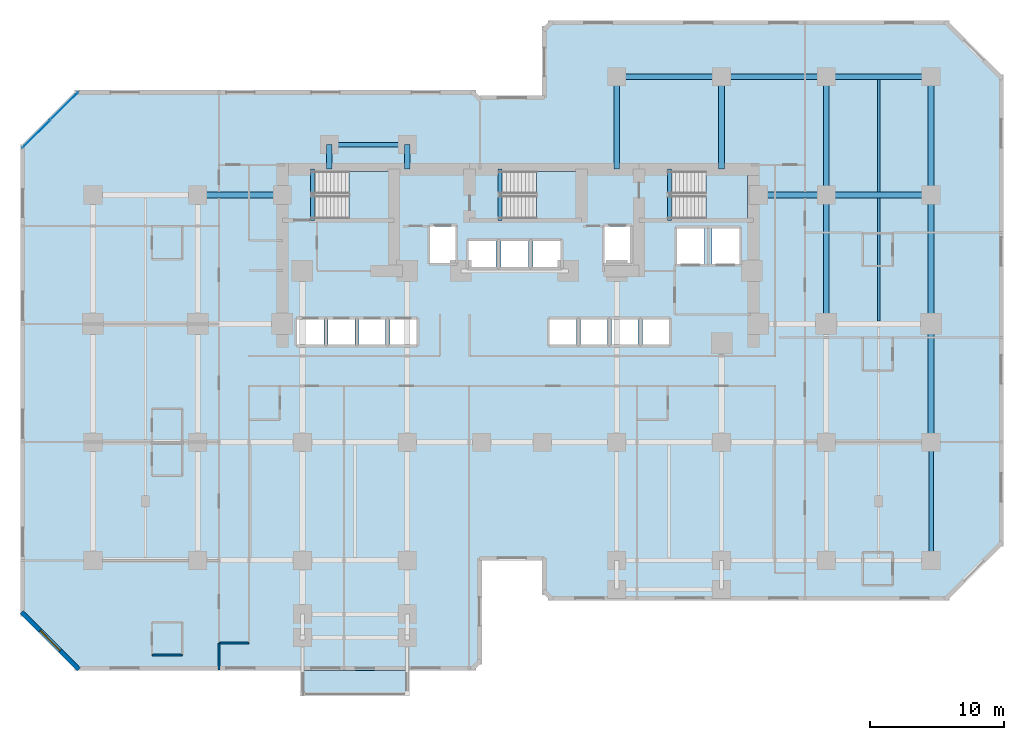
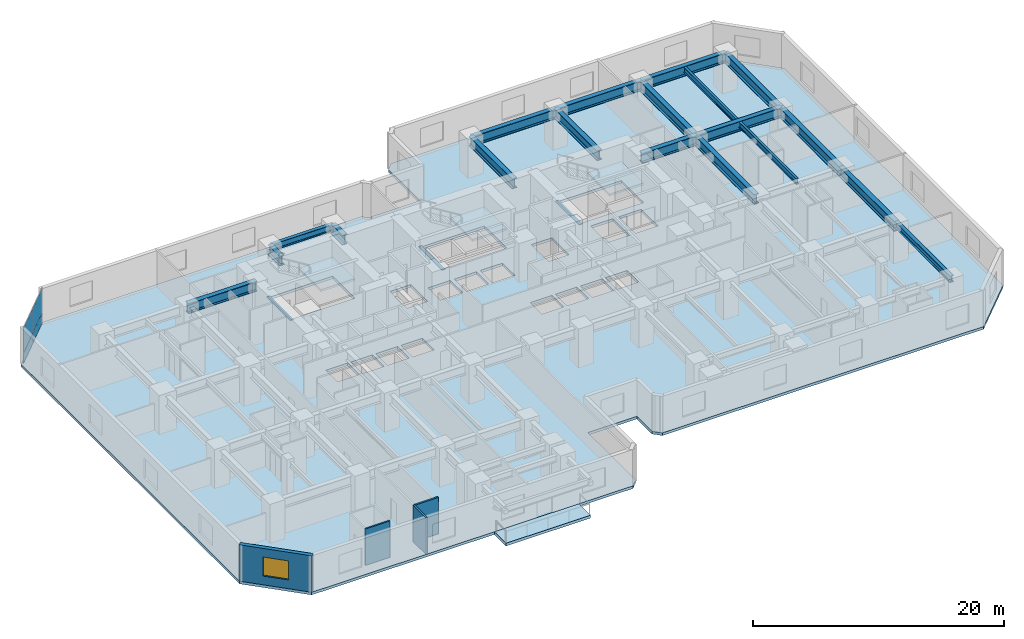
# One storey, part 4 of 11: 22 beams, 5 slabs, 4 plates, 4 walls, 1 window, 1 opening, 4 elements without a shape of their own.
"""IFC4 building model written with IfcOpenShell, lengths in metres."""

from ifc_helpers import new_model, si_unit, direction, frame, frame_2d, origin, origin_2d, place, context, subcontext, project, spatial, polyline, rectangle, i_section, outline, extrude, material, layer, layer_set, material_profile, profile_set, type_object, element, fill, aggregate, save


model = new_model("IFC4")

# Units and contexts
model_context = context("Model", 3, precision=1e-05, world=origin(), true_north=direction((0.0, 1.0)))
body_context = subcontext(model_context, "Body", "Model", "MODEL_VIEW")
ifc_project = project(units=[si_unit("LENGTHUNIT", "METRE"), si_unit("AREAUNIT", "SQUARE_METRE"), si_unit("VOLUMEUNIT", "CUBIC_METRE"), si_unit("PLANEANGLEUNIT", "RADIAN"), si_unit("MASSUNIT", "GRAM", prefix="KILO")], contexts=[model_context])

# Site, building, storey
site_placement = place(None, origin())
site = spatial("IfcSite", under=ifc_project, at=site_placement, CompositionType="ELEMENT")
building_placement = place(site_placement, origin())
building = spatial("IfcBuilding", under=site, at=building_placement, Name="Kestravale Grand Hotel", CompositionType="ELEMENT")
storey_placement = place(building_placement, frame((0.0, 0.0, 45.0)))
storey = spatial("IfcBuildingStorey", under=building, at=storey_placement, Name="L10", CompositionType="ELEMENT", Elevation=45.0)

# Beams
ifc_material_1 = material(Name="Steel ASTM A992 Grade 50", Category="steel")
ifc_material_profile_1 = material_profile(ifc_material_1, i_section(OverallWidth=0.2099609375, OverallDepth=0.535888671875, WebThickness=0.010986328125, FlangeThickness=0.017333984375, FilletRadius=0.017578125, at=origin_2d()))
ifc_profile_set_1 = profile_set([ifc_material_profile_1], Name="Steel ASTM A992 Grade 50")
beam_type_1 = type_object("IfcBeamType", Name="B-FLR-JST21", PredefinedType="JOIST", material=ifc_profile_set_1)
beam_1_placement = place(storey_placement, frame((66.300048828125, 29.011962890625, 3.27197265625), z_axis=(0.0, 1.0, 0.0), x_axis=(-1.0, 0.0, 0.0)))
element("IfcBeam", 1, at=beam_1_placement, inside=storey, type_object=beam_type_1, Name="L10 floor joist 10-11/E-F #1", PredefinedType="JOIST", context=body_context, shape_type="SweptSolid", body=[
    extrude(i_section(OverallWidth=0.2099609375, OverallDepth=0.535888671875, WebThickness=0.010986328125, FlangeThickness=0.017333984375, FilletRadius=0.017578125, at=origin_2d()), origin(), (0.0, 0.0, 1.0), 9.176025390625),
])
beam_2_placement = place(storey_placement, frame((66.300048828125, 38.612060546875, 3.27197265625), z_axis=(0.0, 1.0, 0.0), x_axis=(-1.0, 0.0, 0.0)))
element("IfcBeam", 2, at=beam_2_placement, inside=storey, type_object=beam_type_1, Name="L10 floor joist 10-11/F-G #1", PredefinedType="JOIST", context=body_context, shape_type="SweptSolid", body=[
    extrude(i_section(OverallWidth=0.2099609375, OverallDepth=0.535888671875, WebThickness=0.010986328125, FlangeThickness=0.017333984375, FilletRadius=0.017578125, at=origin_2d()), origin(), (0.0, 0.0, 1.0), 8.3759765625),
])
ifc_material_2 = material(Name="Concrete f'c 45 MPa", Category="concrete")
ifc_material_profile_2 = material_profile(ifc_material_2, rectangle(XDim=0.300048828125, YDim=0.39990234375, at=origin_2d()))
ifc_profile_set_2 = profile_set([ifc_material_profile_2], Name="Concrete f'c 45 MPa")
beam_type_2 = type_object("IfcBeamType", Name="B-FLR-LNT400", PredefinedType="LINTEL", material=ifc_profile_set_2)
for number, where, z_axis, x_axis, name in (
    (3, (24.159912109375, 36.52001953125, -0.199951171875), (0.0, 1.0, 0.0), (-1.0, 0.0, 0.0), "L10 ST1 flight bottom header beam"),
    (4, (38.110107421875, 36.52001953125, -0.199951171875), (0.0, 1.0, 0.0), (-1.0, 0.0, 0.0), "L10 ST2 flight bottom header beam"),
    (5, (50.7099609375, 36.52001953125, -0.199951171875), (0.0, 1.0, 0.0), (-1.0, 0.0, 0.0), "L10 ST3 flight bottom header beam"),
):
    element("IfcBeam", number, at=place(storey_placement, frame(where, z_axis=z_axis, x_axis=x_axis)), inside=storey, type_object=beam_type_2, Name=name, PredefinedType="LINTEL", context=body_context, shape_type="SweptSolid", body=[
        extrude(rectangle(XDim=0.300048828125, YDim=0.39990234375, at=origin_2d()), origin(), (0.0, 0.0, 1.0), 3.800048828125),
    ])
ifc_material_3 = material(Name="Steel ASTM A992 Grade 50", Category="steel")
ifc_material_profile_3 = material_profile(ifc_material_3, i_section(OverallWidth=0.324951171875, OverallDepth=0.612060546875, WebThickness=0.0126953125, FlangeThickness=0.01904296875, FilletRadius=0.018798828125, at=origin_2d()))
ifc_profile_set_3 = profile_set([ifc_material_profile_3], Name="Steel ASTM A992 Grade 50")
beam_type_3 = type_object("IfcBeamType", Name="B-FLR-W24A", PredefinedType="SPANDREL", material=ifc_profile_set_3)
beam_3_placement = place(storey_placement, frame((25.39990234375, 42.14990234375, 3.23388671875), z_axis=(1.0, 0.0, 0.0), x_axis=(0.0, 1.0, 0.0)))
element("IfcBeam", 6, at=beam_3_placement, inside=storey, type_object=beam_type_3, Name="L10 perimeter tie spandrel FN:4-5", PredefinedType="SPANDREL", context=body_context, shape_type="SweptSolid", body=[
    extrude(i_section(OverallWidth=0.324951171875, OverallDepth=0.612060546875, WebThickness=0.0126953125, FlangeThickness=0.01904296875, FilletRadius=0.018798828125, at=origin_2d()), origin(), (0.0, 0.0, 1.0), 5.800048828125),
])
beam_4_placement = place(storey_placement, frame((70.199951171875, 11.199951171875, 3.23388671875), z_axis=(0.0, 1.0, 0.0), x_axis=(-1.0, 0.0, 0.0)))
element("IfcBeam", 7, at=beam_4_placement, inside=storey, type_object=beam_type_3, Name="L10 spandrel 11:C-D", PredefinedType="SPANDREL", context=body_context, shape_type="SweptSolid", body=[
    extrude(i_section(OverallWidth=0.324951171875, OverallDepth=0.612060546875, WebThickness=0.0126953125, FlangeThickness=0.01904296875, FilletRadius=0.018798828125, at=origin_2d()), origin(), (0.0, 0.0, 1.0), 8.800048828125),
])
ifc_material_4 = material(Name="Steel ASTM A992 Grade 50", Category="steel")
ifc_material_profile_4 = material_profile(ifc_material_4, i_section(OverallWidth=0.424072265625, OverallDepth=0.947021484375, WebThickness=0.02392578125, FlangeThickness=0.042724609375, FilletRadius=0.0283203125, at=origin_2d()))
ifc_profile_set_4 = profile_set([ifc_material_profile_4], Name="Steel ASTM A992 Grade 50")
beam_type_4 = type_object("IfcBeamType", Name="B-GRD-W36", PredefinedType="BEAM", material=ifc_profile_set_4)
beam_5_placement = place(storey_placement, frame((15.60009765625, 38.39990234375, 3.06640625), z_axis=(1.0, 0.0, 0.0), x_axis=(0.0, 1.0, 0.0)))
element("IfcBeam", 8, at=beam_5_placement, inside=storey, type_object=beam_type_4, Name="L10 girder F:3-CW", PredefinedType="BEAM", context=body_context, shape_type="SweptSolid", body=[
    extrude(i_section(OverallWidth=0.424072265625, OverallDepth=0.947021484375, WebThickness=0.02392578125, FlangeThickness=0.042724609375, FilletRadius=0.0283203125, at=origin_2d()), origin(), (0.0, 0.0, 1.0), 6.2998046875),
])
beam_6_placement = place(storey_placement, frame((57.35009765625, 38.39990234375, 3.06640625), z_axis=(1.0, 0.0, 0.0), x_axis=(0.0, 1.0, 0.0)))
element("IfcBeam", 9, at=beam_6_placement, inside=storey, type_object=beam_type_4, Name="L10 girder F:CE-10", PredefinedType="BEAM", context=body_context, shape_type="SweptSolid", body=[
    extrude(i_section(OverallWidth=0.424072265625, OverallDepth=0.947021484375, WebThickness=0.02392578125, FlangeThickness=0.042724609375, FilletRadius=0.0283203125, at=origin_2d()), origin(), (0.0, 0.0, 1.0), 5.0498046875),
])
for number, where, z_axis, x_axis, name in (
    (10, (62.39990234375, 38.39990234375, 3.06640625), (1.0, 0.0, 0.0), (0.0, 1.0, 0.0), "L10 girder F:10-11"),
    (11, (46.800048828125, 47.199951171875, 3.06640625), (1.0, 0.0, 0.0), (0.0, 1.0, 0.0), "L10 girder G:8-9"),
):
    element("IfcBeam", number, at=place(storey_placement, frame(where, z_axis=z_axis, x_axis=x_axis)), inside=storey, type_object=beam_type_4, Name=name, PredefinedType="BEAM", context=body_context, shape_type="SweptSolid", body=[
        extrude(i_section(OverallWidth=0.424072265625, OverallDepth=0.947021484375, WebThickness=0.02392578125, FlangeThickness=0.042724609375, FilletRadius=0.0283203125, at=origin_2d()), origin(), (0.0, 0.0, 1.0), 7.800048828125),
    ])
beam_7_placement = place(storey_placement, frame((54.60009765625, 47.199951171875, 3.06640625), z_axis=(1.0, 0.0, 0.0), x_axis=(0.0, 1.0, 0.0)))
element("IfcBeam", 12, at=beam_7_placement, inside=storey, type_object=beam_type_4, Name="L10 girder G:9-10", PredefinedType="BEAM", context=body_context, shape_type="SweptSolid", body=[
    extrude(i_section(OverallWidth=0.424072265625, OverallDepth=0.947021484375, WebThickness=0.02392578125, FlangeThickness=0.042724609375, FilletRadius=0.0283203125, at=origin_2d()), origin(), (0.0, 0.0, 1.0), 7.7998046875),
])
beam_8_placement = place(storey_placement, frame((62.39990234375, 47.199951171875, 3.06640625), z_axis=(1.0, 0.0, 0.0), x_axis=(0.0, 1.0, 0.0)))
element("IfcBeam", 13, at=beam_8_placement, inside=storey, type_object=beam_type_4, Name="L10 girder G:10-11", PredefinedType="BEAM", context=body_context, shape_type="SweptSolid", body=[
    extrude(i_section(OverallWidth=0.424072265625, OverallDepth=0.947021484375, WebThickness=0.02392578125, FlangeThickness=0.042724609375, FilletRadius=0.0283203125, at=origin_2d()), origin(), (0.0, 0.0, 1.0), 7.800048828125),
])
beam_9_placement = place(storey_placement, frame((62.39990234375, 28.800048828125, 3.06640625), z_axis=(0.0, 1.0, 0.0), x_axis=(-1.0, 0.0, 0.0)))
element("IfcBeam", 14, at=beam_9_placement, inside=storey, type_object=beam_type_4, Name="L10 girder 10:E-F", PredefinedType="BEAM", context=body_context, shape_type="SweptSolid", body=[
    extrude(i_section(OverallWidth=0.424072265625, OverallDepth=0.947021484375, WebThickness=0.02392578125, FlangeThickness=0.042724609375, FilletRadius=0.0283203125, at=origin_2d()), origin(), (0.0, 0.0, 1.0), 9.599853515625),
])
for number, where, z_axis, x_axis, name in (
    (15, (62.39990234375, 38.39990234375, 3.06640625), (0.0, 1.0, 0.0), (-1.0, 0.0, 0.0), "L10 girder 10:F-G"),
    (16, (70.199951171875, 20.0, 3.06640625), (0.0, 1.0, 0.0), (-1.0, 0.0, 0.0), "L10 girder 11:D-E"),
):
    element("IfcBeam", number, at=place(storey_placement, frame(where, z_axis=z_axis, x_axis=x_axis)), inside=storey, type_object=beam_type_4, Name=name, PredefinedType="BEAM", context=body_context, shape_type="SweptSolid", body=[
        extrude(i_section(OverallWidth=0.424072265625, OverallDepth=0.947021484375, WebThickness=0.02392578125, FlangeThickness=0.042724609375, FilletRadius=0.0283203125, at=origin_2d()), origin(), (0.0, 0.0, 1.0), 8.800048828125),
    ])
beam_10_placement = place(storey_placement, frame((70.199951171875, 28.800048828125, 3.06640625), z_axis=(0.0, 1.0, 0.0), x_axis=(-1.0, 0.0, 0.0)))
element("IfcBeam", 17, at=beam_10_placement, inside=storey, type_object=beam_type_4, Name="L10 girder 11:E-F", PredefinedType="BEAM", context=body_context, shape_type="SweptSolid", body=[
    extrude(i_section(OverallWidth=0.424072265625, OverallDepth=0.947021484375, WebThickness=0.02392578125, FlangeThickness=0.042724609375, FilletRadius=0.0283203125, at=origin_2d()), origin(), (0.0, 0.0, 1.0), 9.599853515625),
])
beam_11_placement = place(storey_placement, frame((70.199951171875, 38.39990234375, 3.06640625), z_axis=(0.0, 1.0, 0.0), x_axis=(-1.0, 0.0, 0.0)))
element("IfcBeam", 18, at=beam_11_placement, inside=storey, type_object=beam_type_4, Name="L10 girder 11:F-G", PredefinedType="BEAM", context=body_context, shape_type="SweptSolid", body=[
    extrude(i_section(OverallWidth=0.424072265625, OverallDepth=0.947021484375, WebThickness=0.02392578125, FlangeThickness=0.042724609375, FilletRadius=0.0283203125, at=origin_2d()), origin(), (0.0, 0.0, 1.0), 8.800048828125),
])
for number, where, z_axis, x_axis, name in (
    (19, (25.39990234375, 40.320068359375, 3.06640625), (0.0, 1.0, 0.0), (-1.0, 0.0, 0.0), "L10 north wing tie girder 4:CN-FN"),
    (20, (31.199951171875, 40.320068359375, 3.06640625), (0.0, 1.0, 0.0), (-1.0, 0.0, 0.0), "L10 north wing tie girder 5:CN-FN"),
):
    element("IfcBeam", number, at=place(storey_placement, frame(where, z_axis=z_axis, x_axis=x_axis)), inside=storey, type_object=beam_type_4, Name=name, PredefinedType="BEAM", context=body_context, shape_type="SweptSolid", body=[
        extrude(i_section(OverallWidth=0.424072265625, OverallDepth=0.947021484375, WebThickness=0.02392578125, FlangeThickness=0.042724609375, FilletRadius=0.0283203125, at=origin_2d()), origin(), (0.0, 0.0, 1.0), 1.829833984375),
    ])
for number, where, z_axis, x_axis, name in (
    (21, (46.800048828125, 40.320068359375, 3.06640625), (0.0, 1.0, 0.0), (-1.0, 0.0, 0.0), "L10 north wing tie girder 8:CN-G"),
    (22, (54.60009765625, 40.320068359375, 3.06640625), (0.0, 1.0, 0.0), (-1.0, 0.0, 0.0), "L10 north wing tie girder 9:CN-G"),
):
    element("IfcBeam", number, at=place(storey_placement, frame(where, z_axis=z_axis, x_axis=x_axis)), inside=storey, type_object=beam_type_4, Name=name, PredefinedType="BEAM", context=body_context, shape_type="SweptSolid", body=[
        extrude(i_section(OverallWidth=0.424072265625, OverallDepth=0.947021484375, WebThickness=0.02392578125, FlangeThickness=0.042724609375, FilletRadius=0.0283203125, at=origin_2d()), origin(), (0.0, 0.0, 1.0), 6.8798828125),
    ])

# Curtain wall, plates
ifc_material_5 = material(Name="Thermally broken champagne-bronze aluminium and low-E glazing", Category="aluminium")
ifc_layer_1 = layer(ifc_material_5, 0.199951171875)
ifc_layer_set_1 = layer_set([ifc_layer_1], Name="CW-Z1")
curtain_wall_type = type_object("IfcCurtainWallType", Name="CW-Z1", PredefinedType="NOTDEFINED", material=ifc_layer_set_1)
curtain_wall_placement = place(storey_placement, origin())
curtain_wall = element("IfcCurtainWall", 23, at=curtain_wall_placement, inside=storey, type_object=curtain_wall_type, Name="L10 unitised curtain wall 18", PredefinedType="NOTDEFINED")
ifc_material_6 = material(Name="Insulated clear low-E double glazing IGU", Category="glass")
ifc_layer_2 = layer(ifc_material_6, 0.035888671875)
ifc_layer_set_2 = layer_set([ifc_layer_2], Name="CW-PNL-36")
plate_type = type_object("IfcPlateType", Name="CW-PNL-36", PredefinedType="CURTAIN_PANEL", material=ifc_layer_set_2)
plate_1_placement = place(storey_placement, frame((5.6640625, 45.023681640625, 0.074951171875), z_axis=(0.0, 0.0, 1.0), x_axis=(-0.707106781187, -0.707106781187, 0.0)))
plate_1 = element("IfcPlate", 24, at=plate_1_placement, type_object=plate_type, Name="CW-Z1 panel 1.1", PredefinedType="CURTAIN_PANEL", context=body_context, shape_type="SweptSolid", body=[
    extrude(rectangle(XDim=2.87744140625, YDim=0.035888671875, at=origin_2d()), origin(), (0.0, 0.0, 1.0), 0.9375),
])
plate_2_placement = place(storey_placement, frame((5.6640625, 45.023681640625, 1.087646484375), z_axis=(0.0, 0.0, 1.0), x_axis=(-0.707106781187, -0.707106781187, 0.0)))
plate_2 = element("IfcPlate", 25, at=plate_2_placement, type_object=plate_type, Name="CW-Z1 panel 1.2", PredefinedType="CURTAIN_PANEL", context=body_context, shape_type="SweptSolid", body=[
    extrude(rectangle(XDim=2.87744140625, YDim=0.035888671875, at=origin_2d()), origin(), (0.0, 0.0, 1.0), 2.37744140625),
])
plate_3_placement = place(storey_placement, frame((3.576416015625, 42.93603515625, 0.074951171875), z_axis=(0.0, 0.0, 1.0), x_axis=(-0.707106781187, -0.707106781187, 0.0)))
plate_3 = element("IfcPlate", 26, at=plate_3_placement, type_object=plate_type, Name="CW-Z1 panel 2.1", PredefinedType="CURTAIN_PANEL", context=body_context, shape_type="SweptSolid", body=[
    extrude(rectangle(XDim=2.87744140625, YDim=0.035888671875, at=origin_2d()), origin(), (0.0, 0.0, 1.0), 0.9375),
])
plate_4_placement = place(storey_placement, frame((3.576416015625, 42.93603515625, 1.087646484375), z_axis=(0.0, 0.0, 1.0), x_axis=(-0.707106781187, -0.707106781187, 0.0)))
plate_4 = element("IfcPlate", 27, at=plate_4_placement, type_object=plate_type, Name="CW-Z1 panel 2.2", PredefinedType="CURTAIN_PANEL", context=body_context, shape_type="SweptSolid", body=[
    extrude(rectangle(XDim=2.87744140625, YDim=0.035888671875, at=origin_2d()), origin(), (0.0, 0.0, 1.0), 2.37744140625),
])
aggregate(curtain_wall, [plate_1, plate_2, plate_3, plate_4])

# Slab
ifc_material_7 = material(Name="Concrete f'c 45 MPa", Category="concrete")
ifc_layer_3 = layer(ifc_material_7, 0.27001953125)
ifc_layer_set_3 = layer_set([ifc_layer_3], Name="ES-TERR-270")
slab_type_1 = type_object("IfcSlabType", Name="ES-TERR-270", PredefinedType="FLOOR", material=ifc_layer_set_3)
slab_1_placement = place(storey_placement, frame((0.0, 0.0, -0.27001953125)))
element("IfcSlab", 28, at=slab_1_placement, inside=storey, type_object=slab_type_1, Name="L10 spiralling planted garden terrace", PredefinedType="FLOOR", context=body_context, shape_type="SweptSolid", body=[
    extrude(outline(polyline([(23.39990234375, 1.14990234375), (31.199951171875, 1.14990234375), (31.199951171875, 3.0), (23.39990234375, 3.0), (23.39990234375, 1.14990234375)])), origin(), (0.0, 0.0, 1.0), 0.27001953125),
])

# Stair, slab
ifc_material_8 = material(Name="Concrete f'c 45 MPa", Category="concrete")
stair_type = type_object("IfcStairType", Name="ST-CORE-380", PredefinedType="HALF_TURN_STAIR", material=ifc_material_8)
stair_1_placement = place(storey_placement, origin())
stair_1 = element("IfcStair", 29, at=stair_1_placement, inside=storey, type_object=stair_type, Name="L10 ST-1", PredefinedType="HALF_TURN_STAIR")
ifc_material_9 = material(Name="Concrete f'c 45 MPa", Category="concrete")
ifc_layer_4 = layer(ifc_material_9, 0.199951171875)
ifc_layer_set_4 = layer_set([ifc_layer_4], Name="SLB-ST-LND200")
slab_type_2 = type_object("IfcSlabType", Name="SLB-ST-LND200", PredefinedType="LANDING", material=ifc_layer_set_4)
slab_2_placement = place(storey_placement, frame((0.0, 0.0, 1.699951171875)))
slab_2 = element("IfcSlab", 30, at=slab_2_placement, type_object=slab_type_2, Name="ST-1 landing 1", PredefinedType="LANDING", context=body_context, shape_type="SweptSolid", body=[
    extrude(outline(polyline([(26.8798828125, 36.64990234375), (30.0, 36.64990234375), (30.0, 40.159912109375), (26.8798828125, 40.159912109375), (26.8798828125, 36.64990234375)])), origin(), (0.0, 0.0, 1.0), 0.199951171875),
])
aggregate(stair_1, [slab_2])

stair_2_placement = place(storey_placement, origin())
stair_2 = element("IfcStair", 31, at=stair_2_placement, inside=storey, type_object=stair_type, Name="L10 ST-2", PredefinedType="HALF_TURN_STAIR")
slab_3_placement = place(storey_placement, frame((0.0, 0.0, 1.699951171875)))
slab_3 = element("IfcSlab", 32, at=slab_3_placement, type_object=slab_type_2, Name="ST-2 landing 1", PredefinedType="LANDING", context=body_context, shape_type="SweptSolid", body=[
    extrude(outline(polyline([(40.830078125, 36.64990234375), (43.949951171875, 36.64990234375), (43.949951171875, 40.159912109375), (40.830078125, 40.159912109375), (40.830078125, 36.64990234375)])), origin(), (0.0, 0.0, 1.0), 0.199951171875),
])
aggregate(stair_2, [slab_3])

stair_3_placement = place(storey_placement, origin())
stair_3 = element("IfcStair", 33, at=stair_3_placement, inside=storey, type_object=stair_type, Name="L10 ST-3", PredefinedType="HALF_TURN_STAIR")
slab_4_placement = place(storey_placement, frame((0.0, 0.0, 1.699951171875)))
slab_4 = element("IfcSlab", 34, at=slab_4_placement, type_object=slab_type_2, Name="ST-3 landing 1", PredefinedType="LANDING", context=body_context, shape_type="SweptSolid", body=[
    extrude(outline(polyline([(53.429931640625, 36.64990234375), (56.550048828125, 36.64990234375), (56.550048828125, 40.159912109375), (53.429931640625, 40.159912109375), (53.429931640625, 36.64990234375)])), origin(), (0.0, 0.0, 1.0), 0.199951171875),
])
aggregate(stair_3, [slab_4])

# Slab
ifc_material_10 = material(Name="Concrete f'c 45 MPa", Category="concrete")
ifc_layer_5 = layer(ifc_material_10, 0.260009765625)
ifc_layer_set_5 = layer_set([ifc_layer_5], Name="SS-FLR-260")
slab_type_3 = type_object("IfcSlabType", Name="SS-FLR-260", PredefinedType="FLOOR", material=ifc_layer_set_5)
slab_5_placement = place(storey_placement, frame((0.0, 0.0, -0.260009765625)))
element("IfcSlab", 35, at=slab_5_placement, inside=storey, type_object=slab_type_3, Name="L10 structural floor slab", PredefinedType="FLOOR", context=body_context, shape_type="SweptSolid", body=[
    extrude(outline(polyline([(6.60009765625, 3.0), (36.14990234375, 3.0), (36.75, 3.60009765625), (36.75, 11.199951171875), (41.25, 11.199951171875), (41.25, 8.800048828125), (41.85009765625, 8.199951171875), (71.39990234375, 8.199951171875), (75.60009765625, 12.39990234375), (75.60009765625, 47.199951171875), (71.39990234375, 51.39990234375), (41.85009765625, 51.39990234375), (41.25, 50.800048828125), (41.25, 45.800048828125), (36.75, 45.800048828125), (36.75, 45.60009765625), (36.14990234375, 46.199951171875), (6.60009765625, 46.199951171875), (2.39990234375, 42.0), (2.39990234375, 7.199951171875), (6.60009765625, 3.0)]), holes=[polyline([(24.080078125, 36.64990234375), (30.0, 36.64990234375), (30.0, 40.159912109375), (24.080078125, 40.159912109375), (24.080078125, 36.64990234375)]), polyline([(38.030029296875, 36.64990234375), (43.949951171875, 36.64990234375), (43.949951171875, 40.159912109375), (38.030029296875, 40.159912109375), (38.030029296875, 36.64990234375)]), polyline([(50.6298828125, 36.64990234375), (56.550048828125, 36.64990234375), (56.550048828125, 40.159912109375), (50.6298828125, 40.159912109375), (50.6298828125, 36.64990234375)]), polyline([(23.0048828125, 27.280029296875), (24.9951171875, 27.280029296875), (24.9951171875, 29.1201171875), (23.0048828125, 29.1201171875), (23.0048828125, 27.280029296875)]), polyline([(25.304931640625, 27.280029296875), (27.294921875, 27.280029296875), (27.294921875, 29.1201171875), (25.304931640625, 29.1201171875), (25.304931640625, 27.280029296875)]), polyline([(27.60498046875, 27.280029296875), (29.594970703125, 27.280029296875), (29.594970703125, 29.1201171875), (27.60498046875, 29.1201171875), (27.60498046875, 27.280029296875)]), polyline([(29.905029296875, 27.280029296875), (31.89501953125, 27.280029296875), (31.89501953125, 29.1201171875), (29.905029296875, 29.1201171875), (29.905029296875, 27.280029296875)]), polyline([(41.804931640625, 27.280029296875), (43.794921875, 27.280029296875), (43.794921875, 29.1201171875), (41.804931640625, 29.1201171875), (41.804931640625, 27.280029296875)]), polyline([(44.10498046875, 27.280029296875), (46.094970703125, 27.280029296875), (46.094970703125, 29.1201171875), (44.10498046875, 29.1201171875), (44.10498046875, 27.280029296875)]), polyline([(46.405029296875, 27.280029296875), (48.39501953125, 27.280029296875), (48.39501953125, 29.1201171875), (46.405029296875, 29.1201171875), (46.405029296875, 27.280029296875)]), polyline([(48.705078125, 27.280029296875), (50.695068359375, 27.280029296875), (50.695068359375, 29.1201171875), (48.705078125, 29.1201171875), (48.705078125, 27.280029296875)]), polyline([(35.780029296875, 33.030029296875), (37.820068359375, 33.030029296875), (37.820068359375, 34.969970703125), (35.780029296875, 34.969970703125), (35.780029296875, 33.030029296875)]), polyline([(38.179931640625, 33.030029296875), (40.219970703125, 33.030029296875), (40.219970703125, 34.969970703125), (38.179931640625, 34.969970703125), (38.179931640625, 33.030029296875)]), polyline([(40.580078125, 33.030029296875), (42.6201171875, 33.030029296875), (42.6201171875, 34.969970703125), (40.580078125, 34.969970703125), (40.580078125, 33.030029296875)]), polyline([(32.905029296875, 33.35498046875), (34.794921875, 33.35498046875), (34.794921875, 36.044921875), (32.905029296875, 36.044921875), (32.905029296875, 33.35498046875)]), polyline([(45.905029296875, 33.35498046875), (47.794921875, 33.35498046875), (47.794921875, 36.044921875), (45.905029296875, 36.044921875), (45.905029296875, 33.35498046875)]), polyline([(51.280029296875, 33.280029296875), (53.320068359375, 33.280029296875), (53.320068359375, 35.919921875), (51.280029296875, 35.919921875), (51.280029296875, 33.280029296875)]), polyline([(53.8798828125, 33.280029296875), (55.919921875, 33.280029296875), (55.919921875, 35.919921875), (53.8798828125, 35.919921875), (53.8798828125, 33.280029296875)])]), origin(), (0.0, 0.0, 1.0), 0.260009765625),
])

# Wall, opening, window
ifc_material_11 = material(Name="Precast concrete f'c 45 MPa", Category="concrete")
ifc_layer_6 = layer(ifc_material_11, 0.340087890625)
ifc_layer_set_6 = layer_set([ifc_layer_6], Name="EW-PREC-340")
wall_type_1 = type_object("IfcWallType", Name="EW-PREC-340", PredefinedType="SOLIDWALL", material=ifc_layer_set_6)
wall_1_placement = place(storey_placement, frame((2.491943359375, 7.348388671875, 0.0), z_axis=(0.0, 0.0, 1.0), x_axis=(0.707106781187, -0.707106781187, 0.0)))
wall_1 = element("IfcWall", 36, at=wall_1_placement, inside=storey, type_object=wall_type_1, Name="L10 fluted precast facade wall 20", PredefinedType="SOLIDWALL", context=body_context, shape_type="SweptSolid", body=[
    extrude(rectangle(XDim=6.019775390625, YDim=0.340087890625, at=frame_2d((3.009765625, 0.0))), origin(), (0.0, 0.0, 1.0), 3.5400390625),
])
opening_placement = place(wall_1_placement, frame((1.9599609375, 0.0, 0.85009765625)))
opening = element("IfcOpeningElement", 37, at=opening_placement, cuts=wall_1, Name="Opening W-GUEST-2100", PredefinedType="OPENING", context=body_context, shape_type="SweptSolid", body=[
    extrude(rectangle(XDim=2.10009765625, YDim=1.85009765625, at=frame_2d((1.050048828125, 0.925048828125))), frame((0.0, 0.179931640625, 0.0), z_axis=(0.0, -1.0, 0.0), x_axis=(1.0, 0.0, 0.0)), (0.0, 0.0, 1.0), 0.360107421875),
])
ifc_material_12 = material(Name="Insulated low-E double glazing in aluminium frame", Category="aluminium")
window_type = type_object("IfcWindowType", Name="W-GUEST-2100", PartitioningType="DOUBLE_PANEL_VERTICAL", PredefinedType="WINDOW", material=ifc_material_12)
window_placement = place(opening_placement, origin())
window = element("IfcWindow", 38, at=window_placement, inside=storey, type_object=window_type, Name="L10 exterior window 20.1", OverallHeight=1.85009765625, OverallWidth=2.10009765625, PartitioningType="SINGLE_PANEL", PredefinedType="WINDOW", context=body_context, shape_type="SweptSolid", body=[
    extrude(rectangle(XDim=2.10009765625, YDim=1.85009765625, at=frame_2d((1.050048828125, 0.925048828125))), frame((0.0, 0.030029296875, 0.0), z_axis=(0.0, -1.0, 0.0), x_axis=(1.0, 0.0, 0.0)), (0.0, 0.0, 1.0), 0.06005859375),
])
fill(opening, window)

# Walls
ifc_material_13 = material(Name="Moisture-resistant tile-backer plumbing chase wall", Category="other")
ifc_layer_7 = layer(ifc_material_13, 0.139892578125)
ifc_layer_set_7 = layer_set([ifc_layer_7], Name="IW-PLB-140")
wall_type_2 = type_object("IfcWallType", Name="IW-PLB-140", PredefinedType="PLUMBINGWALL", material=ifc_layer_set_7)
wall_2_placement = place(storey_placement, frame((12.199951171875, 4.14990234375, 0.0), z_axis=(0.0, 0.0, 1.0), x_axis=(1.0, 0.0, 0.0)))
element("IfcWall", 39, at=wall_2_placement, inside=storey, type_object=wall_type_2, Name="W-L10-U03-BS", PredefinedType="PLUMBINGWALL", context=body_context, shape_type="SweptSolid", body=[
    extrude(rectangle(XDim=2.25, YDim=0.139892578125, at=frame_2d((1.125, 0.0))), origin(), (0.0, 0.0, 1.0), 3.5400390625),
])
ifc_material_14 = material(Name="Double-stud STC 52 acoustic demising partition", Category="other")
ifc_layer_8 = layer(ifc_material_14, 0.14990234375)
ifc_layer_set_8 = layer_set([ifc_layer_8], Name="IW-UNIT-150")
wall_type_3 = type_object("IfcWallType", Name="IW-UNIT-150", PredefinedType="PARTITIONING", material=ifc_layer_set_8)
wall_3_placement = place(storey_placement, frame((17.18994140625, 5.050048828125, 0.0), z_axis=(0.0, 0.0, 1.0), x_axis=(1.0, 0.0, 0.0)))
element("IfcWall", 40, at=wall_3_placement, inside=storey, type_object=wall_type_3, Name="W-L10-SW-S", PredefinedType="PARTITIONING", context=body_context, shape_type="SweptSolid", body=[
    extrude(rectangle(XDim=2.219970703125, YDim=0.14990234375, at=frame_2d((1.10986328125, 0.0))), origin(), (0.0, 0.0, 1.0), 3.5400390625),
])
wall_4_placement = place(storey_placement, frame((17.18994140625, 3.02001953125, 0.0), z_axis=(0.0, 0.0, 1.0), x_axis=(0.0, 1.0, 0.0)))
element("IfcWall", 41, at=wall_4_placement, inside=storey, type_object=wall_type_3, Name="W-L10-SW-EXT", PredefinedType="PARTITIONING", context=body_context, shape_type="SweptSolid", body=[
    extrude(rectangle(XDim=2.030029296875, YDim=0.14990234375, at=frame_2d((1.01513671875, 0.0))), origin(), (0.0, 0.0, 1.0), 3.5400390625),
])

save(model, "model.ifc")
